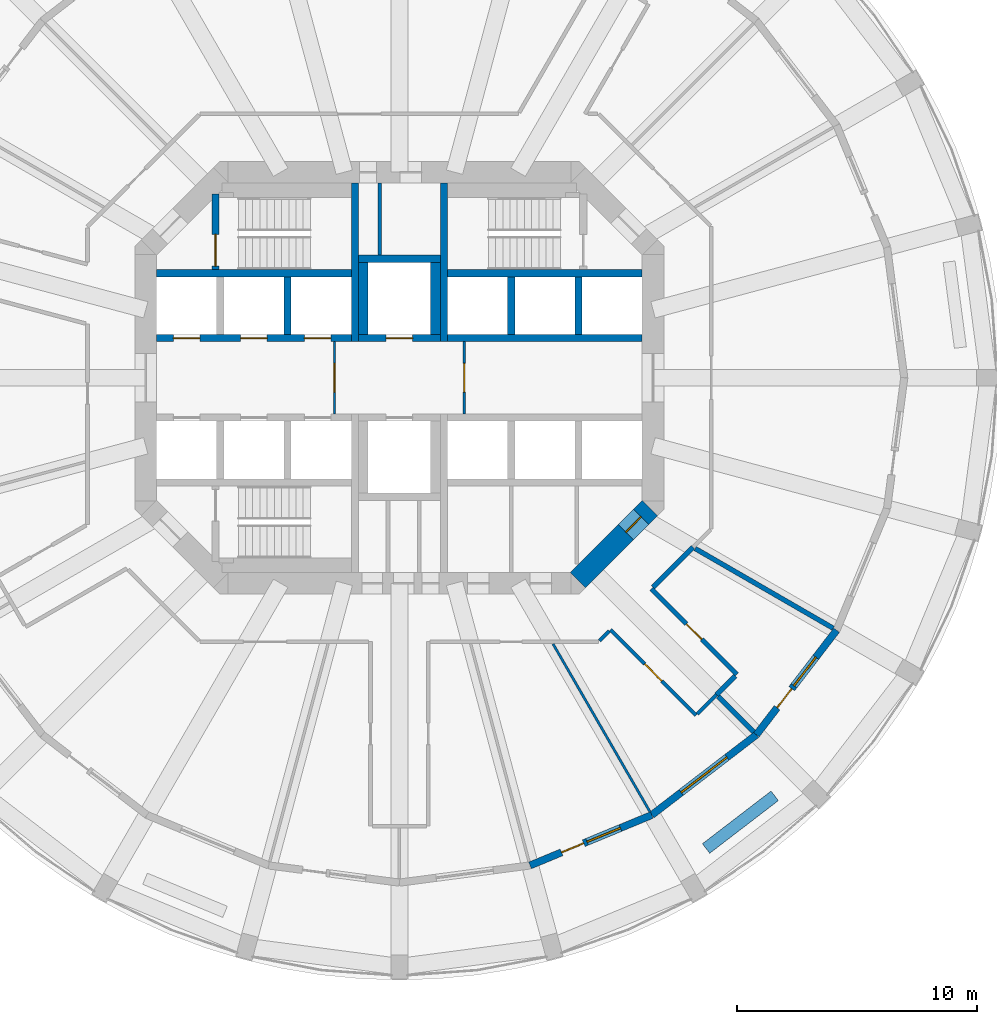
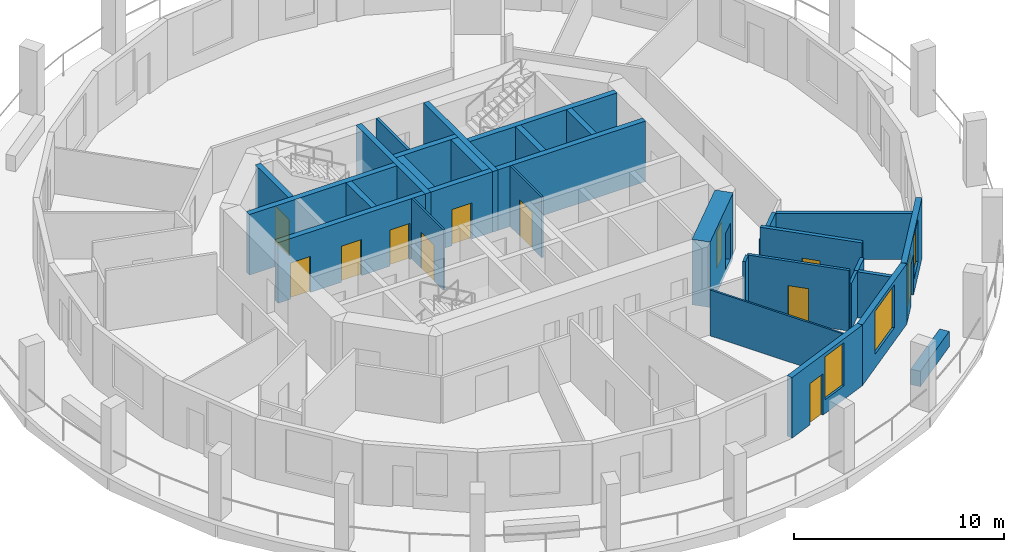
# One storey, part 4 of 8: 31 walls, 12 doors, 3 windows, 15 openings.
"""IFC4 building model written with IfcOpenShell, lengths in metres."""

from ifc_helpers import new_model, si_unit, direction, frame, frame_2d, origin, place, context, subcontext, project, spatial, rectangle, extrude, material, layer, layer_set, type_object, element, fill, save


model = new_model("IFC4")

# Units and contexts
model_context = context("Model", 3, precision=1e-05, world=origin(), true_north=direction((0.0, 1.0)))
body_context = subcontext(model_context, "Body", "Model", "MODEL_VIEW")
ifc_project = project(units=[si_unit("LENGTHUNIT", "METRE"), si_unit("AREAUNIT", "SQUARE_METRE"), si_unit("VOLUMEUNIT", "CUBIC_METRE"), si_unit("PLANEANGLEUNIT", "RADIAN"), si_unit("MASSUNIT", "GRAM", prefix="KILO")], contexts=[model_context])

# Site, building, storey
site_placement = place(None, origin())
site = spatial("IfcSite", under=ifc_project, at=site_placement, CompositionType="ELEMENT")
building_placement = place(site_placement, origin())
building = spatial("IfcBuilding", under=site, at=building_placement, Name="Torre Triforio", CompositionType="ELEMENT")
storey_placement = place(building_placement, frame((0.0, 0.0, 123.800048828125)))
storey = spatial("IfcBuildingStorey", under=building, at=storey_placement, Name="L27", CompositionType="ELEMENT", Elevation=123.800048828125)

# Walls
ifc_material_1 = material(Name="Concrete C60", Category="concrete")
ifc_layer_1 = layer(ifc_material_1, 0.300048828125)
ifc_layer_set_1 = layer_set([ifc_layer_1], Name="Concrete C60")
wall_type_1 = type_object("IfcWallType", Name="Core wall 300 mm C60 EI 120", PredefinedType="SHEAR", material=ifc_layer_set_1)
for number, where, z_axis, x_axis, name in (
    (1, (-1.85009765625, 1.5, 0.0), (0.0, 0.0, 1.0), (0.0, 1.0, 0.0), "Core wall"),
    (2, (1.85009765625, 1.5, 0.0), (0.0, 0.0, 1.0), (0.0, 1.0, 0.0), "Core wall"),
):
    element("IfcWall", number, at=place(storey_placement, frame(where, z_axis=z_axis, x_axis=x_axis)), inside=storey, type_object=wall_type_1, Name=name, PredefinedType="SHEAR", context=body_context, shape_type="SweptSolid", body=[
        extrude(rectangle(XDim=6.60009765625, YDim=0.300048828125, at=frame_2d((3.300048828125, 0.0))), origin(), (0.0, 0.0, 1.0), 3.52001953125),
    ])

# Wall, opening, door
ifc_layer_2 = layer(ifc_material_1, 0.89990234375)
ifc_layer_set_2 = layer_set([ifc_layer_2], Name="Concrete C60")
wall_type_2 = type_object("IfcWallType", Name="Core wall 900 mm C60 EI 120", PredefinedType="SHEAR", material=ifc_layer_set_2)
wall_1_placement = place(storey_placement, frame((10.418212890625, -5.418212890625, -0.280029296875), z_axis=(0.0, 0.0, 1.0), x_axis=(-0.707106781187, -0.707106781187, 0.0)))
wall_1 = element("IfcWall", 3, at=wall_1_placement, inside=storey, type_object=wall_type_2, Name="Core wall", PredefinedType="SHEAR", context=body_context, shape_type="SweptSolid", body=[
    extrude(rectangle(XDim=4.24267578125, YDim=0.89990234375, at=frame_2d((2.121337890625, 0.0))), origin(), (0.0, 0.0, 1.0), 3.800048828125),
])
opening_1_placement = place(wall_1_placement, frame((0.52001953125, 0.0, 0.280029296875)))
opening_1 = element("IfcOpeningElement", 4, at=opening_1_placement, cuts=wall_1, Name="Opening SE-03", PredefinedType="OPENING", context=body_context, shape_type="SweptSolid", body=[
    extrude(rectangle(XDim=0.89990234375, YDim=2.10009765625, at=frame_2d((0.449951171875, 1.050048828125))), frame((0.0, 0.4599609375, 0.0), z_axis=(0.0, -1.0, 0.0), x_axis=(1.0, 0.0, 0.0)), (0.0, 0.0, 1.0), 0.919921875),
])
ifc_material_2 = material(Name="Hollow metal fire door leaf")
door_type_1 = type_object("IfcDoorType", Name="Room door 900 x 2100 EI 60", OperationType="NOTDEFINED", PredefinedType="DOOR", material=ifc_material_2)
door_1_placement = place(opening_1_placement, origin())
door_1 = element("IfcDoor", 5, at=door_1_placement, inside=storey, type_object=door_type_1, Name="Core door SE-03", OperationType="SINGLE_SWING_RIGHT", OverallHeight=2.10009765625, OverallWidth=0.89990234375, PredefinedType="DOOR", context=body_context, shape_type="SweptSolid", body=[
    extrude(rectangle(XDim=0.89990234375, YDim=2.10009765625, at=frame_2d((0.449951171875, 1.050048828125))), frame((0.0, 0.02490234375, 0.0), z_axis=(0.0, -1.0, 0.0), x_axis=(1.0, 0.0, 0.0)), (0.0, 0.0, 1.0), 0.050048828125),
])
fill(opening_1, door_1)

# Wall
ifc_material_3 = material(Name="Plasterboard on metal studs")
ifc_layer_3 = layer(ifc_material_3, 0.14990234375)
ifc_layer_set_3 = layer_set([ifc_layer_3], Name="Plasterboard on metal studs")
wall_type_3 = type_object("IfcWallType", Name="Corridor and tenancy wall 150 mm EI 60", PredefinedType="PARTITIONING", material=ifc_layer_set_3)
wall_2_placement = place(storey_placement, frame((13.1865234375, -13.1865234375, 0.0), z_axis=(0.0, 0.0, 1.0), x_axis=(-0.706998270979, -0.707215274745, 0.0)))
element("IfcWall", 6, at=wall_2_placement, inside=storey, type_object=wall_type_3, Name="Partition 20", PredefinedType="PARTITIONING", context=body_context, shape_type="SweptSolid", body=[
    extrude(rectangle(XDim=1.125, YDim=0.14990234375, at=frame_2d((0.5625, 0.0))), origin(), (0.0, 0.0, 1.0), 2.669921875),
])

# Wall, opening, door
wall_3_placement = place(storey_placement, frame((12.338134765625, -14.03515625, 0.0), z_axis=(0.0, 0.0, 1.0), x_axis=(-0.707106781187, 0.707106781187, 0.0)))
wall_3 = element("IfcWall", 7, at=wall_3_placement, inside=storey, type_object=wall_type_3, Name="Partition 21", PredefinedType="PARTITIONING", context=body_context, shape_type="SweptSolid", body=[
    extrude(rectangle(XDim=5.025634765625, YDim=0.14990234375, at=frame_2d((2.5126953125, 0.0))), origin(), (0.0, 0.0, 1.0), 3.52001953125),
])
opening_2_placement = place(wall_3_placement, frame((2.0126953125, 0.0, 0.0)))
opening_2 = element("IfcOpeningElement", 8, at=opening_2_placement, cuts=wall_3, Name="Opening D1-10", PredefinedType="OPENING", context=body_context, shape_type="SweptSolid", body=[
    extrude(rectangle(XDim=1.0, YDim=2.10009765625, at=frame_2d((0.5, 1.050048828125))), frame((0.0, 0.0849609375, 0.0), z_axis=(0.0, -1.0, 0.0), x_axis=(1.0, 0.0, 0.0)), (0.0, 0.0, 1.0), 0.169921875),
])
ifc_material_4 = material(Name="Timber", Category="wood")
door_type_2 = type_object("IfcDoorType", Name="Door 1000 x 2100 single leaf EI 30", OperationType="NOTDEFINED", PredefinedType="DOOR", material=ifc_material_4)
door_2_placement = place(opening_2_placement, origin())
door_2 = element("IfcDoor", 9, at=door_2_placement, inside=storey, type_object=door_type_2, Name="Door D1-10", OperationType="SINGLE_SWING_RIGHT", OverallHeight=2.10009765625, OverallWidth=1.0, PredefinedType="DOOR", context=body_context, shape_type="SweptSolid", body=[
    extrude(rectangle(XDim=1.0, YDim=2.10009765625, at=frame_2d((0.5, 1.050048828125))), frame((0.0, 0.02490234375, 0.0), z_axis=(0.0, -1.0, 0.0), x_axis=(1.0, 0.0, 0.0)), (0.0, 0.0, 1.0), 0.050048828125),
])
fill(opening_2, door_2)

# Wall
wall_4_placement = place(storey_placement, frame((8.7314453125, -10.534423828125, 0.0), z_axis=(0.0, 0.0, 1.0), x_axis=(-0.707106781187, -0.707106781187, 0.0)))
element("IfcWall", 10, at=wall_4_placement, inside=storey, type_object=wall_type_3, Name="Partition 22", PredefinedType="PARTITIONING", context=body_context, shape_type="SweptSolid", body=[
    extrude(rectangle(XDim=0.57080078125, YDim=0.14990234375, at=frame_2d((0.285400390625, 0.0))), origin(), (0.0, 0.0, 1.0), 3.52001953125),
])

# Wall, opening, door
ifc_material_5 = material(Name="Block and board partition")
ifc_layer_4 = layer(ifc_material_5, 0.10009765625)
ifc_layer_set_4 = layer_set([ifc_layer_4], Name="Block and board partition")
wall_type_4 = type_object("IfcWallType", Name="Partition 100 mm EI 120", PredefinedType="PARTITIONING", material=ifc_layer_set_4)
wall_5_placement = place(storey_placement, frame((-2.699951171875, -1.5, 0.0), z_axis=(0.0, 0.0, 1.0), x_axis=(0.0, 1.0, 0.0)))
wall_5 = element("IfcWall", 11, at=wall_5_placement, inside=storey, type_object=wall_type_4, Name="Partition", PredefinedType="PARTITIONING", context=body_context, shape_type="SweptSolid", body=[
    extrude(rectangle(XDim=3.0, YDim=0.10009765625, at=frame_2d((1.5, 0.0))), origin(), (0.0, 0.0, 1.0), 3.52001953125),
])
opening_3_placement = place(wall_5_placement, frame((0.89990234375, 0.0, 0.0)))
opening_3 = element("IfcOpeningElement", 12, at=opening_3_placement, cuts=wall_5, Name="Opening FF-W", PredefinedType="OPENING", context=body_context, shape_type="SweptSolid", body=[
    extrude(rectangle(XDim=1.199951171875, YDim=2.10009765625, at=frame_2d((0.60009765625, 1.050048828125))), frame((0.0, 0.06005859375, 0.0), z_axis=(0.0, -1.0, 0.0), x_axis=(1.0, 0.0, 0.0)), (0.0, 0.0, 1.0), 0.1201171875),
])
door_type_3 = type_object("IfcDoorType", Name="Fire-fighting lobby door 1200 x 2100 EI 60", OperationType="NOTDEFINED", PredefinedType="DOOR", material=ifc_material_2)
door_3_placement = place(opening_3_placement, origin())
door_3 = element("IfcDoor", 13, at=door_3_placement, inside=storey, type_object=door_type_3, Name="Core door FF-W", OperationType="SINGLE_SWING_RIGHT", OverallHeight=2.10009765625, OverallWidth=1.199951171875, PredefinedType="DOOR", context=body_context, shape_type="SweptSolid", body=[
    extrude(rectangle(XDim=1.199951171875, YDim=2.10009765625, at=frame_2d((0.60009765625, 1.050048828125))), frame((0.0, 0.02490234375, 0.0), z_axis=(0.0, -1.0, 0.0), x_axis=(1.0, 0.0, 0.0)), (0.0, 0.0, 1.0), 0.050048828125),
])
fill(opening_3, door_3)

wall_6_placement = place(storey_placement, frame((2.699951171875, -1.5, 0.0), z_axis=(0.0, 0.0, 1.0), x_axis=(0.0, 1.0, 0.0)))
wall_6 = element("IfcWall", 14, at=wall_6_placement, inside=storey, type_object=wall_type_4, Name="Partition", PredefinedType="PARTITIONING", context=body_context, shape_type="SweptSolid", body=[
    extrude(rectangle(XDim=3.0, YDim=0.10009765625, at=frame_2d((1.5, 0.0))), origin(), (0.0, 0.0, 1.0), 3.52001953125),
])
opening_4_placement = place(wall_6_placement, frame((0.89990234375, 0.0, 0.0)))
opening_4 = element("IfcOpeningElement", 15, at=opening_4_placement, cuts=wall_6, Name="Opening FF-E", PredefinedType="OPENING", context=body_context, shape_type="SweptSolid", body=[
    extrude(rectangle(XDim=1.199951171875, YDim=2.10009765625, at=frame_2d((0.60009765625, 1.050048828125))), frame((0.0, 0.06005859375, 0.0), z_axis=(0.0, -1.0, 0.0), x_axis=(1.0, 0.0, 0.0)), (0.0, 0.0, 1.0), 0.1201171875),
])
door_4_placement = place(opening_4_placement, origin())
door_4 = element("IfcDoor", 16, at=door_4_placement, inside=storey, type_object=door_type_3, Name="Core door FF-E", OperationType="SINGLE_SWING_RIGHT", OverallHeight=2.10009765625, OverallWidth=1.199951171875, PredefinedType="DOOR", context=body_context, shape_type="SweptSolid", body=[
    extrude(rectangle(XDim=1.199951171875, YDim=2.10009765625, at=frame_2d((0.60009765625, 1.050048828125))), frame((0.0, 0.02490234375, 0.0), z_axis=(0.0, -1.0, 0.0), x_axis=(1.0, 0.0, 0.0)), (0.0, 0.0, 1.0), 0.050048828125),
])
fill(opening_4, door_4)

# Walls
ifc_layer_5 = layer(ifc_material_3, 0.10009765625)
ifc_layer_set_5 = layer_set([ifc_layer_5], Name="Plasterboard on metal studs")
wall_type_5 = type_object("IfcWallType", Name="Partition 100 mm board on metal studs", PredefinedType="PARTITIONING", material=ifc_layer_set_5)
wall_7_placement = place(storey_placement, frame((6.393798828125, -11.07470703125, 0.0), z_axis=(0.0, 0.0, 1.0), x_axis=(0.500024397361, -0.866011317503, 0.0)))
element("IfcWall", 17, at=wall_7_placement, inside=storey, type_object=wall_type_5, Name="Partition 41", PredefinedType="PARTITIONING", context=body_context, shape_type="SweptSolid", body=[
    extrude(rectangle(XDim=8.048828125, YDim=0.10009765625, at=frame_2d((4.0244140625, 0.0))), origin(), (0.0, 0.0, 1.0), 2.669921875),
])
ifc_layer_6 = layer(ifc_material_5, 0.14990234375)
ifc_layer_set_6 = layer_set([ifc_layer_6], Name="Block and board partition")
wall_type_6 = type_object("IfcWallType", Name="Partition 150 mm EI 120", PredefinedType="PARTITIONING", material=ifc_layer_set_6)
wall_8_placement = place(storey_placement, frame((-0.824951171875, 5.10009765625, 0.0), z_axis=(0.0, 0.0, 1.0), x_axis=(0.0, 1.0, 0.0)))
element("IfcWall", 18, at=wall_8_placement, inside=storey, type_object=wall_type_6, Name="Partition", PredefinedType="PARTITIONING", context=body_context, shape_type="SweptSolid", body=[
    extrude(rectangle(XDim=3.0, YDim=0.14990234375, at=frame_2d((1.5, 0.0))), origin(), (0.0, 0.0, 1.0), 3.52001953125),
])
ifc_material_6 = material(Name="Masonry block", Category="masonry")
ifc_layer_7 = layer(ifc_material_6, 0.199951171875)
ifc_layer_set_7 = layer_set([ifc_layer_7], Name="Masonry block")
wall_type_7 = type_object("IfcWallType", Name="Plant room wall 200 mm block EI 120", PredefinedType="PARTITIONING", material=ifc_layer_set_7)
wall_9_placement = place(storey_placement, frame((12.214111328125, -7.0517578125, 0.0), z_axis=(0.0, 0.0, 1.0), x_axis=(-0.707106781187, -0.707106781187, 0.0)))
element("IfcWall", 19, at=wall_9_placement, inside=storey, type_object=wall_type_7, Name="Partition 17", PredefinedType="PARTITIONING", context=body_context, shape_type="SweptSolid", body=[
    extrude(rectangle(XDim=2.350341796875, YDim=0.199951171875, at=frame_2d((1.17529296875, 0.0))), origin(), (0.0, 0.0, 1.0), 2.669921875),
])

# Wall, opening, door
wall_10_placement = place(storey_placement, frame((10.4814453125, -8.784423828125, 0.0), z_axis=(0.0, 0.0, 1.0), x_axis=(0.707106781187, -0.707106781187, 0.0)))
wall_10 = element("IfcWall", 20, at=wall_10_placement, inside=storey, type_object=wall_type_7, Name="Partition 18", PredefinedType="PARTITIONING", context=body_context, shape_type="SweptSolid", body=[
    extrude(rectangle(XDim=5.025634765625, YDim=0.199951171875, at=frame_2d((2.5126953125, 0.0))), origin(), (0.0, 0.0, 1.0), 3.52001953125),
])
opening_5_placement = place(wall_10_placement, frame((2.062744140625, 0.0, 0.0)))
opening_5 = element("IfcOpeningElement", 21, at=opening_5_placement, cuts=wall_10, Name="Opening D1-11", PredefinedType="OPENING", context=body_context, shape_type="SweptSolid", body=[
    extrude(rectangle(XDim=0.89990234375, YDim=2.10009765625, at=frame_2d((0.449951171875, 1.050048828125))), frame((0.0, 0.10986328125, 0.0), z_axis=(0.0, -1.0, 0.0), x_axis=(1.0, 0.0, 0.0)), (0.0, 0.0, 1.0), 0.219970703125),
])
door_type_4 = type_object("IfcDoorType", Name="Door 900 x 2100 single leaf EI 60", OperationType="NOTDEFINED", PredefinedType="DOOR", material=ifc_material_2)
door_5_placement = place(opening_5_placement, origin())
door_5 = element("IfcDoor", 22, at=door_5_placement, inside=storey, type_object=door_type_4, Name="Door D1-11", OperationType="SINGLE_SWING_RIGHT", OverallHeight=2.10009765625, OverallWidth=0.89990234375, PredefinedType="DOOR", context=body_context, shape_type="SweptSolid", body=[
    extrude(rectangle(XDim=0.89990234375, YDim=2.10009765625, at=frame_2d((0.449951171875, 1.050048828125))), frame((0.0, 0.02490234375, 0.0), z_axis=(0.0, -1.0, 0.0), x_axis=(1.0, 0.0, 0.0)), (0.0, 0.0, 1.0), 0.050048828125),
])
fill(opening_5, door_5)

# Walls
wall_11_placement = place(storey_placement, frame((13.96435546875, -12.40869140625, 0.0), z_axis=(0.0, 0.0, 1.0), x_axis=(-0.707106781187, -0.707106781187, 0.0)))
element("IfcWall", 23, at=wall_11_placement, inside=storey, type_object=wall_type_7, Name="Partition 19", PredefinedType="PARTITIONING", context=body_context, shape_type="SweptSolid", body=[
    extrude(rectangle(XDim=1.10009765625, YDim=0.199951171875, at=frame_2d((0.550048828125, 0.0))), origin(), (0.0, 0.0, 1.0), 2.669921875),
])
wall_12_placement = place(storey_placement, frame((13.25732421875, -13.25732421875, 0.0), z_axis=(0.0, 0.0, 1.0), x_axis=(0.707106781187, -0.707106781187, 0.0)))
element("IfcWall", 24, at=wall_12_placement, inside=storey, type_object=wall_type_7, Name="Partition 42", PredefinedType="PARTITIONING", context=body_context, shape_type="SweptSolid", body=[
    extrude(rectangle(XDim=2.088134765625, YDim=0.199951171875, at=frame_2d((1.0439453125, 0.0))), origin(), (0.0, 0.0, 1.0), 2.669921875),
])
wall_13_placement = place(storey_placement, frame((12.304931640625, -7.104248046875, 0.0), z_axis=(0.0, 0.0, 1.0), x_axis=(0.866019973495, -0.500009405419, 0.0)))
element("IfcWall", 25, at=wall_13_placement, inside=storey, type_object=wall_type_7, Name="Partition 43", PredefinedType="PARTITIONING", context=body_context, shape_type="SweptSolid", body=[
    extrude(rectangle(XDim=6.628173828125, YDim=0.199951171875, at=frame_2d((3.31396484375, 0.0))), origin(), (0.0, 0.0, 1.0), 2.669921875),
])
ifc_material_7 = material(Name="Limestone cladding", Category="masonry")
ifc_layer_8 = layer(ifc_material_7, 0.10009765625)
ifc_material_8 = material(Name="Concrete C40", Category="concrete")
ifc_layer_9 = layer(ifc_material_8, 0.39990234375)
ifc_layer_set_8 = layer_set([ifc_layer_8, ifc_layer_9], Name="Limestone cladding / Concrete C40")
wall_type_8 = type_object("IfcWallType", Name="Planter wall 500", PredefinedType="PARAPET", material=ifc_layer_set_8)
wall_14_placement = place(storey_placement, frame((12.756103515625, -19.580810546875, 0.0), z_axis=(0.0, 0.0, 1.0), x_axis=(0.793384730612, 0.608720518162, 0.0)))
element("IfcWall", 26, at=wall_14_placement, inside=storey, type_object=wall_type_8, Name="Planter L27 bay 21", PredefinedType="PARAPET", context=body_context, shape_type="SweptSolid", body=[
    extrude(rectangle(XDim=3.60009765625, YDim=0.5, at=frame_2d((1.800048828125, 0.0))), origin(), (0.0, 0.0, 1.0), 0.89990234375),
])
ifc_layer_10 = layer(ifc_material_1, 0.300048828125)
ifc_layer_set_9 = layer_set([ifc_layer_10], Name="Concrete C60")
wall_type_9 = type_object("IfcWallType", Name="Shaft wall 300 mm C60 EI 120", PredefinedType="SOLIDWALL", material=ifc_layer_set_9)
for number, where, z_axis, x_axis, name in (
    (27, (-10.10009765625, 4.35009765625, 0.0), (0.0, 0.0, 1.0), (1.0, 0.0, 0.0), "Shaft wall"),
    (28, (2.0, 4.35009765625, 0.0), (0.0, 0.0, 1.0), (1.0, 0.0, 0.0), "Shaft wall"),
):
    element("IfcWall", number, at=place(storey_placement, frame(where, z_axis=z_axis, x_axis=x_axis)), inside=storey, type_object=wall_type_9, Name=name, PredefinedType="SOLIDWALL", context=body_context, shape_type="SweptSolid", body=[
        extrude(rectangle(XDim=8.10009765625, YDim=0.300048828125, at=frame_2d((4.050048828125, 0.0))), origin(), (0.0, 0.0, 1.0), 3.52001953125),
    ])

# Wall, openings, doors
wall_15_placement = place(storey_placement, frame((-10.10009765625, 1.64990234375, 0.0), z_axis=(0.0, 0.0, 1.0), x_axis=(1.0, 0.0, 0.0)))
wall_15 = element("IfcWall", 29, at=wall_15_placement, inside=storey, type_object=wall_type_9, Name="Shaft wall", PredefinedType="SOLIDWALL", context=body_context, shape_type="SweptSolid", body=[
    extrude(rectangle(XDim=8.10009765625, YDim=0.300048828125, at=frame_2d((4.050048828125, 0.0))), origin(), (0.0, 0.0, 1.0), 3.52001953125),
])
opening_6_placement = place(wall_15_placement, frame((0.699951171875, 0.0, 0.0)))
opening_6 = element("IfcOpeningElement", 30, at=opening_6_placement, cuts=wall_15, Name="Opening LD", PredefinedType="OPENING", context=body_context, shape_type="SweptSolid", body=[
    extrude(rectangle(XDim=1.10009765625, YDim=2.10009765625, at=frame_2d((0.550048828125, 1.050048828125))), frame((0.0, 0.159912109375, 0.0), z_axis=(0.0, -1.0, 0.0), x_axis=(1.0, 0.0, 0.0)), (0.0, 0.0, 1.0), 0.320068359375),
])
opening_7_placement = place(wall_15_placement, frame((3.5, 0.0, 0.0)))
opening_7 = element("IfcOpeningElement", 31, at=opening_7_placement, cuts=wall_15, Name="Opening LD", PredefinedType="OPENING", context=body_context, shape_type="SweptSolid", body=[
    extrude(rectangle(XDim=1.10009765625, YDim=2.10009765625, at=frame_2d((0.550048828125, 1.050048828125))), frame((0.0, 0.159912109375, 0.0), z_axis=(0.0, -1.0, 0.0), x_axis=(1.0, 0.0, 0.0)), (0.0, 0.0, 1.0), 0.320068359375),
])
opening_8_placement = place(wall_15_placement, frame((6.14990234375, 0.0, 0.0)))
opening_8 = element("IfcOpeningElement", 32, at=opening_8_placement, cuts=wall_15, Name="Opening LD", PredefinedType="OPENING", context=body_context, shape_type="SweptSolid", body=[
    extrude(rectangle(XDim=1.10009765625, YDim=2.10009765625, at=frame_2d((0.550048828125, 1.050048828125))), frame((0.0, 0.159912109375, 0.0), z_axis=(0.0, -1.0, 0.0), x_axis=(1.0, 0.0, 0.0)), (0.0, 0.0, 1.0), 0.320068359375),
])
door_type_5 = type_object("IfcDoorType", Name="Landing door 1100 x 2100 EI 60", OperationType="DOUBLE_DOOR_SLIDING", PredefinedType="DOOR", material=ifc_material_2)
door_6_placement = place(opening_6_placement, origin())
door_6 = element("IfcDoor", 33, at=door_6_placement, inside=storey, type_object=door_type_5, Name="Landing door LR1", OperationType="DOUBLE_DOOR_SLIDING", OverallHeight=2.10009765625, OverallWidth=1.10009765625, PredefinedType="DOOR", context=body_context, shape_type="SweptSolid", body=[
    extrude(rectangle(XDim=1.10009765625, YDim=2.10009765625, at=frame_2d((0.550048828125, 1.050048828125))), frame((0.0, 0.02490234375, 0.0), z_axis=(0.0, -1.0, 0.0), x_axis=(1.0, 0.0, 0.0)), (0.0, 0.0, 1.0), 0.050048828125),
])
fill(opening_6, door_6)
door_7_placement = place(opening_7_placement, origin())
door_7 = element("IfcDoor", 34, at=door_7_placement, inside=storey, type_object=door_type_5, Name="Landing door LR2", OperationType="DOUBLE_DOOR_SLIDING", OverallHeight=2.10009765625, OverallWidth=1.10009765625, PredefinedType="DOOR", context=body_context, shape_type="SweptSolid", body=[
    extrude(rectangle(XDim=1.10009765625, YDim=2.10009765625, at=frame_2d((0.550048828125, 1.050048828125))), frame((0.0, 0.02490234375, 0.0), z_axis=(0.0, -1.0, 0.0), x_axis=(1.0, 0.0, 0.0)), (0.0, 0.0, 1.0), 0.050048828125),
])
fill(opening_7, door_7)
door_8_placement = place(opening_8_placement, origin())
door_8 = element("IfcDoor", 35, at=door_8_placement, inside=storey, type_object=door_type_5, Name="Landing door LR3", OperationType="DOUBLE_DOOR_SLIDING", OverallHeight=2.10009765625, OverallWidth=1.10009765625, PredefinedType="DOOR", context=body_context, shape_type="SweptSolid", body=[
    extrude(rectangle(XDim=1.10009765625, YDim=2.10009765625, at=frame_2d((0.550048828125, 1.050048828125))), frame((0.0, 0.02490234375, 0.0), z_axis=(0.0, -1.0, 0.0), x_axis=(1.0, 0.0, 0.0)), (0.0, 0.0, 1.0), 0.050048828125),
])
fill(opening_8, door_8)

# Walls
wall_16_placement = place(storey_placement, frame((2.0, 1.64990234375, 0.0), z_axis=(0.0, 0.0, 1.0), x_axis=(1.0, 0.0, 0.0)))
element("IfcWall", 36, at=wall_16_placement, inside=storey, type_object=wall_type_9, Name="Shaft wall", PredefinedType="SOLIDWALL", context=body_context, shape_type="SweptSolid", body=[
    extrude(rectangle(XDim=8.10009765625, YDim=0.300048828125, at=frame_2d((4.050048828125, 0.0))), origin(), (0.0, 0.0, 1.0), 3.52001953125),
])
for number, where, z_axis, x_axis, name in (
    (37, (-4.64990234375, 1.800048828125, 0.0), (0.0, 0.0, 1.0), (0.0, 1.0, 0.0), "Shaft wall"),
    (38, (4.64990234375, 1.800048828125, 0.0), (0.0, 0.0, 1.0), (0.0, 1.0, 0.0), "Shaft wall"),
    (39, (7.449951171875, 1.800048828125, 0.0), (0.0, 0.0, 1.0), (0.0, 1.0, 0.0), "Shaft wall"),
):
    element("IfcWall", number, at=place(storey_placement, frame(where, z_axis=z_axis, x_axis=x_axis)), inside=storey, type_object=wall_type_9, Name=name, PredefinedType="SOLIDWALL", context=body_context, shape_type="SweptSolid", body=[
        extrude(rectangle(XDim=2.39990234375, YDim=0.300048828125, at=frame_2d((1.199951171875, 0.0))), origin(), (0.0, 0.0, 1.0), 3.52001953125),
    ])

# Wall, opening, door
wall_17_placement = place(storey_placement, frame((-1.699951171875, 1.64990234375, 0.0), z_axis=(0.0, 0.0, 1.0), x_axis=(1.0, 0.0, 0.0)))
wall_17 = element("IfcWall", 40, at=wall_17_placement, inside=storey, type_object=wall_type_9, Name="Shaft wall", PredefinedType="SOLIDWALL", context=body_context, shape_type="SweptSolid", body=[
    extrude(rectangle(XDim=3.39990234375, YDim=0.300048828125, at=frame_2d((1.699951171875, 0.0))), origin(), (0.0, 0.0, 1.0), 3.52001953125),
])
opening_9_placement = place(wall_17_placement, frame((1.14990234375, 0.0, 0.0)))
opening_9 = element("IfcOpeningElement", 41, at=opening_9_placement, cuts=wall_17, Name="Opening LD", PredefinedType="OPENING", context=body_context, shape_type="SweptSolid", body=[
    extrude(rectangle(XDim=1.10009765625, YDim=2.10009765625, at=frame_2d((0.550048828125, 1.050048828125))), frame((0.0, 0.159912109375, 0.0), z_axis=(0.0, -1.0, 0.0), x_axis=(1.0, 0.0, 0.0)), (0.0, 0.0, 1.0), 0.320068359375),
])
door_9_placement = place(opening_9_placement, origin())
door_9 = element("IfcDoor", 42, at=door_9_placement, inside=storey, type_object=door_type_5, Name="Landing door FFL1", OperationType="DOUBLE_DOOR_SLIDING", OverallHeight=2.10009765625, OverallWidth=1.10009765625, PredefinedType="DOOR", context=body_context, shape_type="SweptSolid", body=[
    extrude(rectangle(XDim=1.10009765625, YDim=2.10009765625, at=frame_2d((0.550048828125, 1.050048828125))), frame((0.0, 0.02490234375, 0.0), z_axis=(0.0, -1.0, 0.0), x_axis=(1.0, 0.0, 0.0)), (0.0, 0.0, 1.0), 0.050048828125),
])
fill(opening_9, door_9)

# Walls
wall_18_placement = place(storey_placement, frame((-1.699951171875, 4.949951171875, 0.0), z_axis=(0.0, 0.0, 1.0), x_axis=(1.0, 0.0, 0.0)))
element("IfcWall", 43, at=wall_18_placement, inside=storey, type_object=wall_type_9, Name="Shaft wall", PredefinedType="SOLIDWALL", context=body_context, shape_type="SweptSolid", body=[
    extrude(rectangle(XDim=3.39990234375, YDim=0.300048828125, at=frame_2d((1.699951171875, 0.0))), origin(), (0.0, 0.0, 1.0), 3.52001953125),
])
ifc_layer_11 = layer(ifc_material_1, 0.39990234375)
ifc_layer_set_10 = layer_set([ifc_layer_11], Name="Concrete C60")
wall_type_10 = type_object("IfcWallType", Name="Shaft wall 400 mm C60 EI 120", PredefinedType="SOLIDWALL", material=ifc_layer_set_10)
for number, where, z_axis, x_axis, name in (
    (44, (-1.5, 1.800048828125, 0.0), (0.0, 0.0, 1.0), (0.0, 1.0, 0.0), "Shaft wall"),
    (45, (1.5, 1.800048828125, 0.0), (0.0, 0.0, 1.0), (0.0, 1.0, 0.0), "Shaft wall"),
):
    element("IfcWall", number, at=place(storey_placement, frame(where, z_axis=z_axis, x_axis=x_axis)), inside=storey, type_object=wall_type_10, Name=name, PredefinedType="SOLIDWALL", context=body_context, shape_type="SweptSolid", body=[
        extrude(rectangle(XDim=3.0, YDim=0.39990234375, at=frame_2d((1.5, 0.0))), origin(), (0.0, 0.0, 1.0), 3.52001953125),
    ])

# Wall, opening, door
ifc_layer_12 = layer(ifc_material_1, 0.300048828125)
ifc_layer_set_11 = layer_set([ifc_layer_12], Name="Concrete C60")
wall_type_11 = type_object("IfcWallType", Name="Stair wall 300 mm C60 EI 120", PredefinedType="SHEAR", material=ifc_layer_set_11)
wall_19_placement = place(storey_placement, frame((-7.64990234375, 4.5, 0.0), z_axis=(0.0, 0.0, 1.0), x_axis=(0.0, 1.0, 0.0)))
wall_19 = element("IfcWall", 46, at=wall_19_placement, inside=storey, type_object=wall_type_11, Name="Stair wall", PredefinedType="SHEAR", context=body_context, shape_type="SweptSolid", body=[
    extrude(rectangle(XDim=3.139892578125, YDim=0.300048828125, at=frame_2d((1.56982421875, 0.0))), origin(), (0.0, 0.0, 1.0), 3.52001953125),
])
opening_10_placement = place(wall_19_placement, frame((0.139892578125, 0.0, 0.0)))
opening_10 = element("IfcOpeningElement", 47, at=opening_10_placement, cuts=wall_19, Name="Opening ST1-STA", PredefinedType="OPENING", context=body_context, shape_type="SweptSolid", body=[
    extrude(rectangle(XDim=1.320068359375, YDim=2.10009765625, at=frame_2d((0.66015625, 1.050048828125))), frame((0.0, 0.159912109375, 0.0), z_axis=(0.0, -1.0, 0.0), x_axis=(1.0, 0.0, 0.0)), (0.0, 0.0, 1.0), 0.320068359375),
])
door_type_6 = type_object("IfcDoorType", Name="Stair door 1320 x 2100 EI 90", OperationType="DOUBLE_DOOR_SINGLE_SWING", PredefinedType="DOOR", material=ifc_material_2)
door_10_placement = place(opening_10_placement, origin())
door_10 = element("IfcDoor", 48, at=door_10_placement, inside=storey, type_object=door_type_6, Name="Core door ST1-ST", OperationType="DOUBLE_DOOR_SINGLE_SWING", OverallHeight=2.10009765625, OverallWidth=1.320068359375, PredefinedType="DOOR", context=body_context, shape_type="SweptSolid", body=[
    extrude(rectangle(XDim=1.320068359375, YDim=2.10009765625, at=frame_2d((0.66015625, 1.050048828125))), frame((0.0, 0.02490234375, 0.0), z_axis=(0.0, -1.0, 0.0), x_axis=(1.0, 0.0, 0.0)), (0.0, 0.0, 1.0), 0.050048828125),
])
fill(opening_10, door_10)

# Wall, openings, door, window
ifc_layer_13 = layer(ifc_material_7, 0.10009765625)
ifc_layer_14 = layer(ifc_material_8, 0.199951171875)
ifc_layer_set_12 = layer_set([ifc_layer_13, ifc_layer_14], Name="Limestone cladding / Concrete C40")
wall_type_12 = type_object("IfcWallType", Name="Stone-faced composite wall 300", PredefinedType="STANDARD", material=ifc_layer_set_12)
wall_20_placement = place(storey_placement, frame((5.435302734375, -20.284423828125, 0.0), z_axis=(0.0, 0.0, 1.0), x_axis=(0.923877333662, 0.382688740813, 0.0)))
wall_20 = element("IfcWall", 49, at=wall_20_placement, inside=storey, type_object=wall_type_12, Name="External wall L27 bay 20", PredefinedType="STANDARD", context=body_context, shape_type="SweptSolid", body=[
    extrude(rectangle(XDim=5.48193359375, YDim=0.300048828125, at=frame_2d((2.740966796875, 0.0))), origin(), (0.0, 0.0, 1.0), 3.52001953125),
])
opening_11_placement = place(wall_20_placement, frame((1.416015625, 0.0, 0.0)))
opening_11 = element("IfcOpeningElement", 50, at=opening_11_placement, cuts=wall_20, Name="Opening D1-D20", PredefinedType="OPENING", context=body_context, shape_type="SweptSolid", body=[
    extrude(rectangle(XDim=1.0, YDim=2.39990234375, at=frame_2d((0.5, 1.199951171875))), frame((0.0, 0.159912109375, 0.0), z_axis=(0.0, -1.0, 0.0), x_axis=(1.0, 0.0, 0.0)), (0.0, 0.0, 1.0), 0.320068359375),
])
opening_12_placement = place(wall_20_placement, frame((2.566162109375, 0.0, 0.800048828125)))
opening_12 = element("IfcOpeningElement", 51, at=opening_12_placement, cuts=wall_20, Name="Opening D1-W20A", PredefinedType="OPENING", context=body_context, shape_type="SweptSolid", body=[
    extrude(rectangle(XDim=1.5, YDim=2.5, at=frame_2d((0.75, 1.25))), frame((0.0, 0.159912109375, 0.0), z_axis=(0.0, -1.0, 0.0), x_axis=(1.0, 0.0, 0.0)), (0.0, 0.0, 1.0), 0.320068359375),
])
ifc_material_9 = material(Name="Aluminium frame with clear double glazing", Category="aluminium")
door_type_7 = type_object("IfcDoorType", Name="Loggia door 1000 x 2400", OperationType="NOTDEFINED", PredefinedType="DOOR", material=ifc_material_9)
door_11_placement = place(opening_11_placement, origin())
door_11 = element("IfcDoor", 52, at=door_11_placement, inside=storey, type_object=door_type_7, Name="Loggia door L27 bay 20", OperationType="SINGLE_SWING_LEFT", OverallHeight=2.39990234375, OverallWidth=1.0, PredefinedType="DOOR", context=body_context, shape_type="SweptSolid", body=[
    extrude(rectangle(XDim=1.0, YDim=2.39990234375, at=frame_2d((0.5, 1.199951171875))), frame((0.0, 0.02490234375, 0.0), z_axis=(0.0, -1.0, 0.0), x_axis=(1.0, 0.0, 0.0)), (0.0, 0.0, 1.0), 0.050048828125),
])
fill(opening_11, door_11)
window_type_1 = type_object("IfcWindowType", Name="Side window 1500 x 2500", PartitioningType="SINGLE_PANEL", PredefinedType="WINDOW", material=ifc_material_9)
window_1_placement = place(opening_12_placement, origin())
window_1 = element("IfcWindow", 53, at=window_1_placement, inside=storey, type_object=window_type_1, Name="Side window EWN13 L27 bay 20", OverallHeight=2.5, OverallWidth=1.5, PartitioningType="SINGLE_PANEL", PredefinedType="WINDOW", context=body_context, shape_type="SweptSolid", body=[
    extrude(rectangle(XDim=1.5, YDim=2.5, at=frame_2d((0.75, 1.25))), frame((0.0, 0.030029296875, 0.0), z_axis=(0.0, -1.0, 0.0), x_axis=(1.0, 0.0, 0.0)), (0.0, 0.0, 1.0), 0.06005859375),
])
fill(opening_12, window_1)

# Wall, opening, window
wall_21_placement = place(storey_placement, frame((10.5, -18.1865234375, 0.0), z_axis=(0.0, 0.0, 1.0), x_axis=(0.793335336593, 0.608784891166, 0.0)))
wall_21 = element("IfcWall", 54, at=wall_21_placement, inside=storey, type_object=wall_type_12, Name="External wall L27 bay 21", PredefinedType="STANDARD", context=body_context, shape_type="SweptSolid", body=[
    extrude(rectangle(XDim=5.482177734375, YDim=0.300048828125, at=frame_2d((2.7412109375, 0.0))), origin(), (0.0, 0.0, 1.0), 3.52001953125),
])
opening_13_placement = place(wall_21_placement, frame((1.541015625, 0.0, 0.800048828125)))
opening_13 = element("IfcOpeningElement", 55, at=opening_13_placement, cuts=wall_21, Name="Opening D1-W21", PredefinedType="OPENING", context=body_context, shape_type="SweptSolid", body=[
    extrude(rectangle(XDim=2.39990234375, YDim=2.5, at=frame_2d((1.199951171875, 1.25))), frame((0.0, 0.159912109375, 0.0), z_axis=(0.0, -1.0, 0.0), x_axis=(1.0, 0.0, 0.0)), (0.0, 0.0, 1.0), 0.320068359375),
])
window_type_2 = type_object("IfcWindowType", Name="Punched window 2400 x 2500", PartitioningType="DOUBLE_PANEL_VERTICAL", PredefinedType="WINDOW", material=ifc_material_9)
window_2_placement = place(opening_13_placement, origin())
window_2 = element("IfcWindow", 56, at=window_2_placement, inside=storey, type_object=window_type_2, Name="Window EWN3 L27 bay 21", OverallHeight=2.5, OverallWidth=2.39990234375, PartitioningType="SINGLE_PANEL", PredefinedType="WINDOW", context=body_context, shape_type="SweptSolid", body=[
    extrude(rectangle(XDim=2.39990234375, YDim=2.5, at=frame_2d((1.199951171875, 1.25))), frame((0.0, 0.030029296875, 0.0), z_axis=(0.0, -1.0, 0.0), x_axis=(1.0, 0.0, 0.0)), (0.0, 0.0, 1.0), 0.06005859375),
])
fill(opening_13, window_2)

# Wall, openings, door, window
wall_22_placement = place(storey_placement, frame((14.84912109375, -14.84912109375, 0.0), z_axis=(0.0, 0.0, 1.0), x_axis=(0.608784891166, 0.793335336593, 0.0)))
wall_22 = element("IfcWall", 57, at=wall_22_placement, inside=storey, type_object=wall_type_12, Name="External wall L27 bay 22", PredefinedType="STANDARD", context=body_context, shape_type="SweptSolid", body=[
    extrude(rectangle(XDim=5.482177734375, YDim=0.300048828125, at=frame_2d((2.7412109375, 0.0))), origin(), (0.0, 0.0, 1.0), 3.52001953125),
])
opening_14_placement = place(wall_22_placement, frame((1.416015625, 0.0, 0.0)))
opening_14 = element("IfcOpeningElement", 58, at=opening_14_placement, cuts=wall_22, Name="Opening D1-D22", PredefinedType="OPENING", context=body_context, shape_type="SweptSolid", body=[
    extrude(rectangle(XDim=1.0, YDim=2.39990234375, at=frame_2d((0.5, 1.199951171875))), frame((0.0, 0.159912109375, 0.0), z_axis=(0.0, -1.0, 0.0), x_axis=(1.0, 0.0, 0.0)), (0.0, 0.0, 1.0), 0.320068359375),
])
opening_15_placement = place(wall_22_placement, frame((2.56591796875, 0.0, 0.800048828125)))
opening_15 = element("IfcOpeningElement", 59, at=opening_15_placement, cuts=wall_22, Name="Opening D1-W22A", PredefinedType="OPENING", context=body_context, shape_type="SweptSolid", body=[
    extrude(rectangle(XDim=1.5, YDim=2.5, at=frame_2d((0.75, 1.25))), frame((0.0, 0.159912109375, 0.0), z_axis=(0.0, -1.0, 0.0), x_axis=(1.0, 0.0, 0.0)), (0.0, 0.0, 1.0), 0.320068359375),
])
door_12_placement = place(opening_14_placement, origin())
door_12 = element("IfcDoor", 60, at=door_12_placement, inside=storey, type_object=door_type_7, Name="Loggia door L27 bay 22", OperationType="SINGLE_SWING_LEFT", OverallHeight=2.39990234375, OverallWidth=1.0, PredefinedType="DOOR", context=body_context, shape_type="SweptSolid", body=[
    extrude(rectangle(XDim=1.0, YDim=2.39990234375, at=frame_2d((0.5, 1.199951171875))), frame((0.0, 0.02490234375, 0.0), z_axis=(0.0, -1.0, 0.0), x_axis=(1.0, 0.0, 0.0)), (0.0, 0.0, 1.0), 0.050048828125),
])
fill(opening_14, door_12)
window_3_placement = place(opening_15_placement, origin())
window_3 = element("IfcWindow", 61, at=window_3_placement, inside=storey, type_object=window_type_1, Name="Side window EWN13 L27 bay 22", OverallHeight=2.5, OverallWidth=1.5, PartitioningType="SINGLE_PANEL", PredefinedType="WINDOW", context=body_context, shape_type="SweptSolid", body=[
    extrude(rectangle(XDim=1.5, YDim=2.5, at=frame_2d((0.75, 1.25))), frame((0.0, 0.030029296875, 0.0), z_axis=(0.0, -1.0, 0.0), x_axis=(1.0, 0.0, 0.0)), (0.0, 0.0, 1.0), 0.06005859375),
])
fill(opening_15, window_3)

save(model, "model.ifc")
